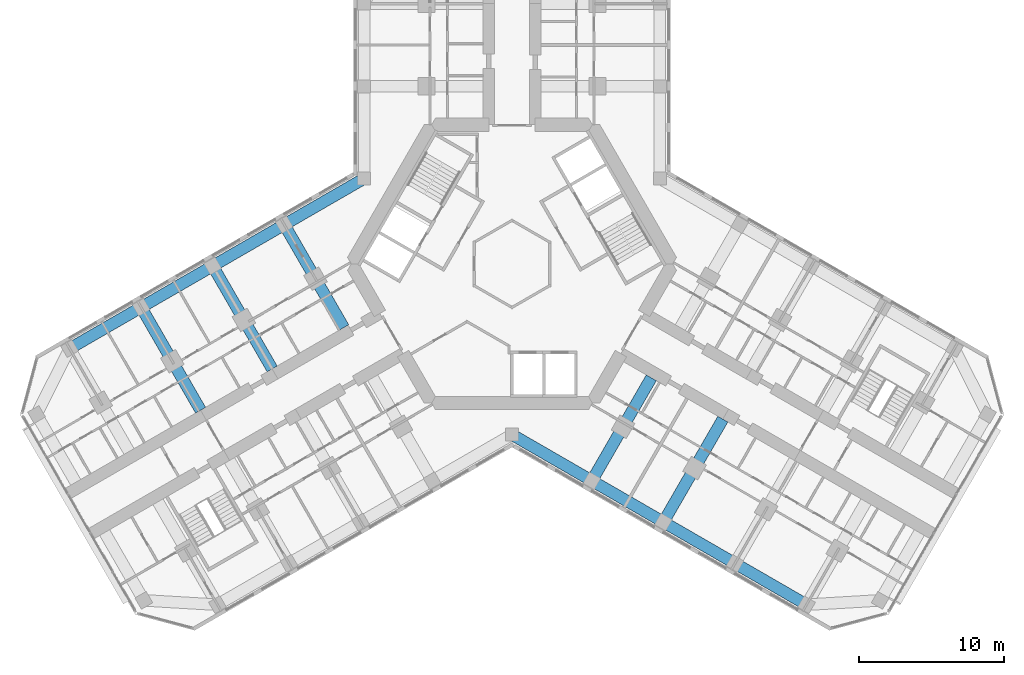
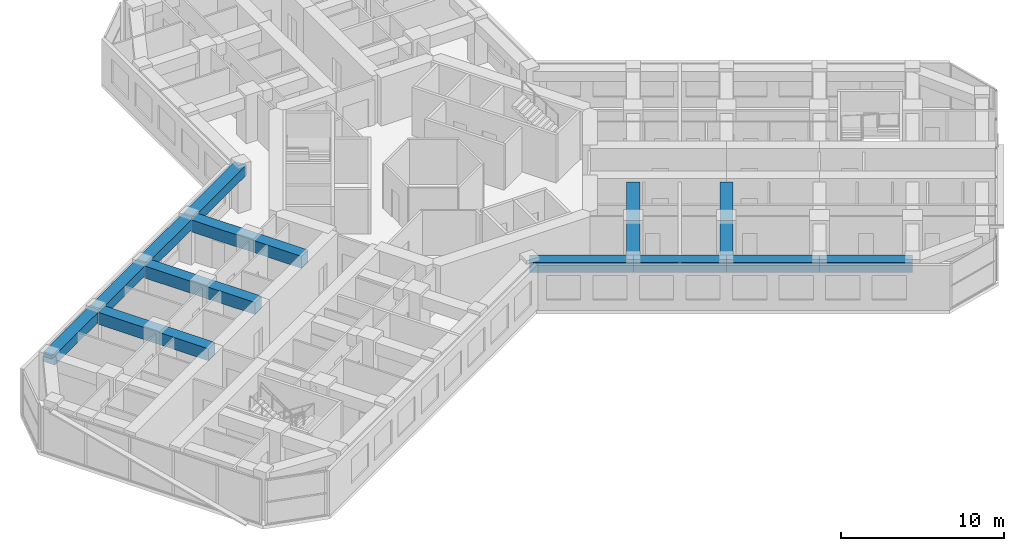
# One storey, part 4 of 19: 13 beams.
"""IFC4 building model written with IfcOpenShell, lengths in metres."""

from ifc_helpers import new_model, si_unit, direction, frame, origin, origin_2d, place, context, subcontext, project, spatial, rectangle, extrude, material, material_profile, profile_set, type_object, element, save


model = new_model("IFC4")

# Units and contexts
model_context = context("Model", 3, precision=1e-05, world=origin(), true_north=direction((0.0, 1.0)))
body_context = subcontext(model_context, "Body", "Model", "MODEL_VIEW")
ifc_project = project(units=[si_unit("LENGTHUNIT", "METRE"), si_unit("AREAUNIT", "SQUARE_METRE"), si_unit("VOLUMEUNIT", "CUBIC_METRE"), si_unit("PLANEANGLEUNIT", "RADIAN"), si_unit("MASSUNIT", "GRAM", prefix="KILO")], contexts=[model_context])

# Site, building, storey
site_placement = place(None, origin())
site = spatial("IfcSite", under=ifc_project, at=site_placement, CompositionType="ELEMENT")
building_placement = place(site_placement, origin())
building = spatial("IfcBuilding", under=site, at=building_placement, Name="Kosmar Iwan School Tower", CompositionType="ELEMENT")
storey_placement = place(building_placement, frame((0.0, 0.0, 141.800048828125)))
storey = spatial("IfcBuildingStorey", under=building, at=storey_placement, Name="L35", CompositionType="ELEMENT", Elevation=141.800048828125)

# Beams
ifc_material_1 = material(Name="Concrete C50/60", Category="concrete")
ifc_material_profile_1 = material_profile(ifc_material_1, rectangle(XDim=0.800048828125, YDim=0.75, at=origin_2d()), Name="RC 800x750")
ifc_profile_set_1 = profile_set([ifc_material_profile_1], Name="Concrete C50/60")
beam_type_1 = type_object("IfcBeamType", Name="RC edge beam 800x750", PredefinedType="BEAM", material=ifc_profile_set_1)
beam_1_placement = place(storey_placement, frame((-10.199951171875, 5.888916015625, 2.974853515625), z_axis=(-0.866030912664, -0.49999045822, 0.0), x_axis=(0.49999045822, -0.866030912664, 0.0)))
element("IfcBeam", 1, at=beam_1_placement, inside=storey, type_object=beam_type_1, Name="Edge beam BR1", PredefinedType="BEAM", context=body_context, shape_type="SweptSolid", body=[
    extrude(rectangle(XDim=0.800048828125, YDim=0.75, at=origin_2d()), origin(), (0.0, 0.0, 1.0), 6.36083984375),
])
beam_2_placement = place(storey_placement, frame((-15.708740234375, 2.70849609375, 2.974853515625), z_axis=(-0.866025820012, -0.499999279071, 0.0), x_axis=(0.499999279071, -0.866025820012, 0.0)))
element("IfcBeam", 2, at=beam_2_placement, inside=storey, type_object=beam_type_1, Name="Edge beam BR2", PredefinedType="BEAM", context=body_context, shape_type="SweptSolid", body=[
    extrude(rectangle(XDim=0.800048828125, YDim=0.75, at=origin_2d()), origin(), (0.0, 0.0, 1.0), 5.7001953125),
])
for number, where, z_axis, x_axis, name in (
    (3, (-20.645263671875, -0.1416015625, 2.974853515625), (-0.866033658841, -0.49998570155, 0.0), (0.49998570155, -0.866033658841, 0.0), "Edge beam BR3"),
    (4, (-25.58154296875, -2.991455078125, 2.974853515625), (-0.866015111908, -0.50001782563, 0.0), (0.50001782563, -0.866015111908, 0.0), "Edge beam BR4"),
):
    element("IfcBeam", number, at=place(storey_placement, frame(where, z_axis=z_axis, x_axis=x_axis)), inside=storey, type_object=beam_type_1, Name=name, PredefinedType="BEAM", context=body_context, shape_type="SweptSolid", body=[
        extrude(rectangle(XDim=0.800048828125, YDim=0.75, at=origin_2d()), origin(), (0.0, 0.0, 1.0), 5.699951171875),
    ])
beam_3_placement = place(storey_placement, frame((0.0, -11.77783203125, 2.974853515625), z_axis=(0.866014293216, -0.500019243575, 0.0), x_axis=(0.500019243575, 0.866014293216, 0.0)))
element("IfcBeam", 5, at=beam_3_placement, inside=storey, type_object=beam_type_1, Name="Edge beam CR1", PredefinedType="BEAM", context=body_context, shape_type="SweptSolid", body=[
    extrude(rectangle(XDim=0.800048828125, YDim=0.75, at=origin_2d()), origin(), (0.0, 0.0, 1.0), 6.361083984375),
])
beam_4_placement = place(storey_placement, frame((5.5087890625, -14.95849609375, 2.974853515625), z_axis=(0.866033658841, -0.49998570155, 0.0), x_axis=(0.49998570155, 0.866033658841, 0.0)))
element("IfcBeam", 6, at=beam_4_placement, inside=storey, type_object=beam_type_1, Name="Edge beam CR2", PredefinedType="BEAM", context=body_context, shape_type="SweptSolid", body=[
    extrude(rectangle(XDim=0.800048828125, YDim=0.75, at=origin_2d()), origin(), (0.0, 0.0, 1.0), 5.699951171875),
])
beam_5_placement = place(storey_placement, frame((10.445068359375, -17.808349609375, 2.974853515625), z_axis=(0.866025820012, -0.499999279071, 0.0), x_axis=(0.499999279071, 0.866025820012, 0.0)))
element("IfcBeam", 7, at=beam_5_placement, inside=storey, type_object=beam_type_1, Name="Edge beam CR3", PredefinedType="BEAM", context=body_context, shape_type="SweptSolid", body=[
    extrude(rectangle(XDim=0.800048828125, YDim=0.75, at=origin_2d()), origin(), (0.0, 0.0, 1.0), 5.7001953125),
])
beam_6_placement = place(storey_placement, frame((15.381591796875, -20.658447265625, 2.974853515625), z_axis=(0.866015111908, -0.50001782563, 0.0), x_axis=(0.50001782563, 0.866015111908, 0.0)))
element("IfcBeam", 8, at=beam_6_placement, inside=storey, type_object=beam_type_1, Name="Edge beam CR4", PredefinedType="BEAM", context=body_context, shape_type="SweptSolid", body=[
    extrude(rectangle(XDim=0.800048828125, YDim=0.75, at=origin_2d()), origin(), (0.0, 0.0, 1.0), 5.699951171875),
])
ifc_material_2 = material(Name="Concrete C50/60", Category="concrete")
ifc_material_profile_2 = material_profile(ifc_material_2, rectangle(XDim=0.800048828125, YDim=0.89990234375, at=origin_2d()), Name="RC 800x900")
ifc_profile_set_2 = profile_set([ifc_material_profile_2], Name="Concrete C50/60")
beam_type_2 = type_object("IfcBeamType", Name="RC transverse beam 800x900", PredefinedType="BEAM", material=ifc_profile_set_2)
for number, where, z_axis, x_axis, name in (
    (9, (-15.708740234375, 2.70849609375, 2.89990234375), (0.499978459874, -0.866037839625, 0.0), (0.866037839625, 0.499978459874, 0.0), "Transverse beam BR1"),
    (10, (-20.645263671875, -0.1416015625, 2.89990234375), (0.500013681986, -0.866017504342, 0.0), (0.866017504342, 0.500013681986, 0.0), "Transverse beam BR2"),
):
    element("IfcBeam", number, at=place(storey_placement, frame(where, z_axis=z_axis, x_axis=x_axis)), inside=storey, type_object=beam_type_2, Name=name, PredefinedType="BEAM", context=body_context, shape_type="SweptSolid", body=[
        extrude(rectangle(XDim=0.800048828125, YDim=0.89990234375, at=origin_2d()), origin(), (0.0, 0.0, 1.0), 8.199951171875),
    ])
for number, where, z_axis, x_axis, name in (
    (11, (-25.58154296875, -2.991455078125, 2.89990234375), (0.500000789788, -0.8660249478, 0.0), (0.8660249478, 0.500000789788, 0.0), "Transverse beam BR3"),
    (12, (5.5087890625, -14.95849609375, 2.89990234375), (0.500000789788, 0.8660249478, 0.0), (-0.8660249478, 0.500000789788, 0.0), "Transverse beam CR1"),
):
    element("IfcBeam", number, at=place(storey_placement, frame(where, z_axis=z_axis, x_axis=x_axis)), inside=storey, type_object=beam_type_2, Name=name, PredefinedType="BEAM", context=body_context, shape_type="SweptSolid", body=[
        extrude(rectangle(XDim=0.800048828125, YDim=0.89990234375, at=origin_2d()), origin(), (0.0, 0.0, 1.0), 8.2001953125),
    ])
beam_7_placement = place(storey_placement, frame((10.445068359375, -17.808349609375, 2.89990234375), z_axis=(0.500013681986, 0.866017504342, 0.0), x_axis=(-0.866017504342, 0.500013681986, 0.0)))
element("IfcBeam", 13, at=beam_7_placement, inside=storey, type_object=beam_type_2, Name="Transverse beam CR2", PredefinedType="BEAM", context=body_context, shape_type="SweptSolid", body=[
    extrude(rectangle(XDim=0.800048828125, YDim=0.89990234375, at=origin_2d()), origin(), (0.0, 0.0, 1.0), 8.199951171875),
])

save(model, "model.ifc")
